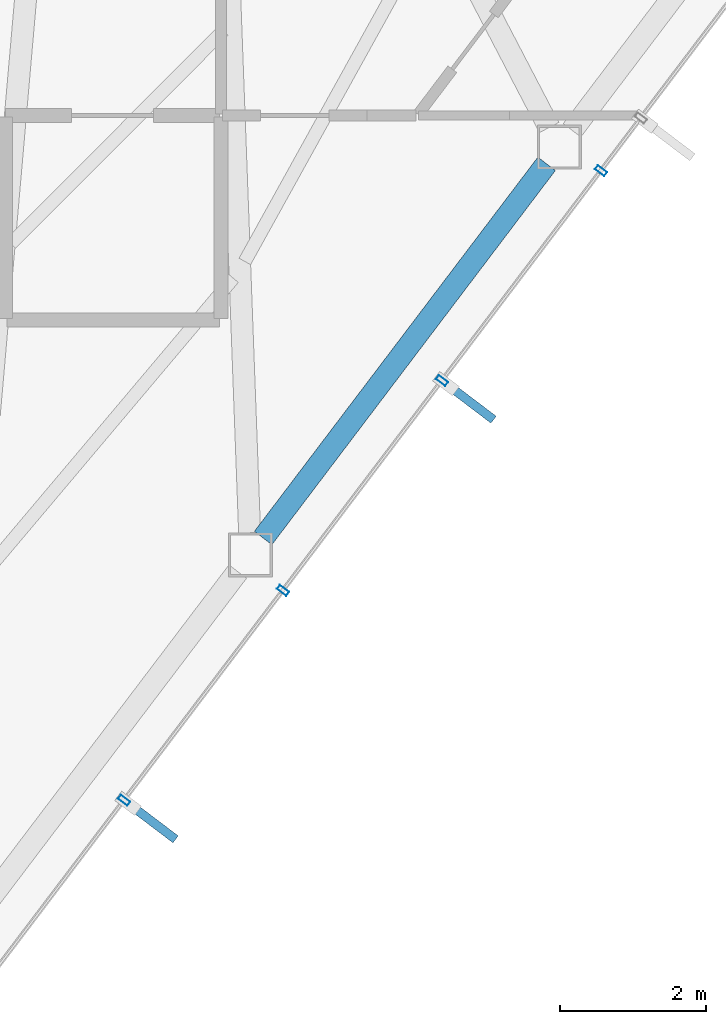
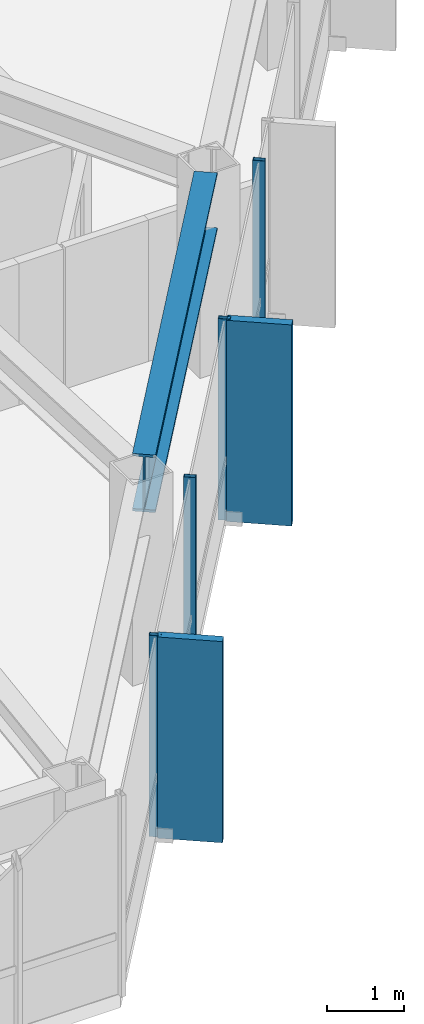
# One storey, part 14 of 25: 6 members, 1 beam, 1 element without a shape of its own.
"""IFC4 building model written with IfcOpenShell, lengths in metres."""

from ifc_helpers import new_model, si_unit, direction, frame, origin, origin_2d, place, context, subcontext, project, spatial, rectangle, hollow_rectangle, i_section, extrude, material, layer, layer_set, material_profile, profile_set, type_object, element, aggregate, save


model = new_model("IFC4")

# Units and contexts
model_context = context("Model", 3, precision=1e-05, world=origin(), true_north=direction((0.0, 1.0)))
body_context = subcontext(model_context, "Body", "Model", "MODEL_VIEW")
ifc_project = project(units=[si_unit("LENGTHUNIT", "METRE"), si_unit("AREAUNIT", "SQUARE_METRE"), si_unit("VOLUMEUNIT", "CUBIC_METRE"), si_unit("PLANEANGLEUNIT", "RADIAN"), si_unit("MASSUNIT", "GRAM", prefix="KILO")], contexts=[model_context])

# Site, building, storey
site_placement = place(None, origin())
site = spatial("IfcSite", under=ifc_project, at=site_placement, CompositionType="ELEMENT")
building_placement = place(site_placement, origin())
building = spatial("IfcBuilding", under=site, at=building_placement, Name="Zarrinselat Tower", CompositionType="ELEMENT")
storey_placement = place(building_placement, frame((0.0, 0.0, 208.760009765625)))
storey = spatial("IfcBuildingStorey", under=building, at=storey_placement, Name="L51", CompositionType="ELEMENT", Elevation=208.760009765625)

# Beam
ifc_material_1 = material(Name="Steel S460M", Category="steel")
ifc_material_profile_1 = material_profile(ifc_material_1, i_section(OverallWidth=0.302001953125, OverallDepth=0.909912109375, WebThickness=0.02099609375, FlangeThickness=0.0400390625, at=origin_2d()), Name="HEM 900")
ifc_profile_set_1 = profile_set([ifc_material_profile_1], Name="Steel S460M")
beam_type = type_object("IfcBeamType", Name="BM-HEM900", PredefinedType="BEAM", material=ifc_profile_set_1)
beam_placement = place(storey_placement, frame((48.926513671875, 24.369384765625, 2.72509765625), z_axis=(0.603860615044, 0.797089930684, 0.0), x_axis=(-0.797089930684, 0.603860615044, 0.0)))
element("IfcBeam", 1, at=beam_placement, inside=storey, type_object=beam_type, Name="L51 Perimeter Spandrel Girder SP12", PredefinedType="BEAM", context=body_context, shape_type="SweptSolid", body=[
    extrude(i_section(OverallWidth=0.302001953125, OverallDepth=0.909912109375, WebThickness=0.02099609375, FlangeThickness=0.0400390625, at=origin_2d()), origin(), (0.0, 0.0, 1.0), 6.423583984375),
])

# Curtain wall, members
ifc_material_2 = material(Name="Extruded Aluminium Alloy EN AW-6063 T6", Category="aluminium")
ifc_layer = layer(ifc_material_2, 0.169921875)
ifc_layer_set = layer_set([ifc_layer], Name="Extruded Aluminium Alloy EN AW-6063 T6")
curtain_wall_type = type_object("IfcCurtainWallType", Name="CWS-RES", PredefinedType="NOTDEFINED", material=ifc_layer_set)
curtain_wall_placement = place(storey_placement, origin())
curtain_wall = element("IfcCurtainWall", 2, at=curtain_wall_placement, inside=storey, type_object=curtain_wall_type, Name="L51 Unitised Curtain Wall CW-L51-E05", PredefinedType="NOTDEFINED")
ifc_material_3 = material(Name="Extruded Aluminium Alloy EN AW-6063 T6", Category="aluminium")
ifc_material_profile_2 = material_profile(ifc_material_3, hollow_rectangle(XDim=0.070068359375, YDim=0.159912109375, WallThickness=0.00390625, at=origin_2d()), Name="RHS 160x70x4")
ifc_profile_set_2 = profile_set([ifc_material_profile_2], Name="Extruded Aluminium Alloy EN AW-6063 T6")
member_type_1 = type_object("IfcMemberType", Name="MEM-CW-MUL2", PredefinedType="MULLION", material=ifc_profile_set_2)
member_1_placement = place(storey_placement, frame((47.02392578125, 20.781494140625, 0.0), z_axis=(0.0, 0.0, 1.0), x_axis=(0.603859492128, 0.797090781384, 0.0)))
member_1 = element("IfcMember", 3, at=member_1_placement, type_object=member_type_1, Name="CW-L51-E05 Mullion 1", PredefinedType="MULLION", context=body_context, shape_type="SweptSolid", body=[
    extrude(hollow_rectangle(XDim=0.070068359375, YDim=0.159912109375, WallThickness=0.00390625, at=origin_2d()), origin(), (0.0, 0.0, 1.0), 3.179931640625),
])
member_2_placement = place(storey_placement, frame((49.19873046875, 23.65234375, 0.0), z_axis=(0.0, 0.0, 1.0), x_axis=(0.603859492128, 0.797090781384, 0.0)))
member_2 = element("IfcMember", 4, at=member_2_placement, type_object=member_type_1, Name="CW-L51-E05 Mullion 2", PredefinedType="MULLION", context=body_context, shape_type="SweptSolid", body=[
    extrude(hollow_rectangle(XDim=0.070068359375, YDim=0.159912109375, WallThickness=0.00390625, at=origin_2d()), origin(), (0.0, 0.0, 1.0), 3.179931640625),
])
member_3_placement = place(storey_placement, frame((51.373779296875, 26.523193359375, 0.0), z_axis=(0.0, 0.0, 1.0), x_axis=(0.603859492128, 0.797090781384, 0.0)))
member_3 = element("IfcMember", 5, at=member_3_placement, type_object=member_type_1, Name="CW-L51-E05 Mullion 3", PredefinedType="MULLION", context=body_context, shape_type="SweptSolid", body=[
    extrude(hollow_rectangle(XDim=0.070068359375, YDim=0.159912109375, WallThickness=0.00390625, at=origin_2d()), origin(), (0.0, 0.0, 1.0), 3.179931640625),
])
member_4_placement = place(storey_placement, frame((53.548583984375, 29.39404296875, 0.0), z_axis=(0.0, 0.0, 1.0), x_axis=(0.603859492128, 0.797090781384, 0.0)))
member_4 = element("IfcMember", 6, at=member_4_placement, type_object=member_type_1, Name="CW-L51-E05 Mullion 4", PredefinedType="MULLION", context=body_context, shape_type="SweptSolid", body=[
    extrude(hollow_rectangle(XDim=0.070068359375, YDim=0.159912109375, WallThickness=0.00390625, at=origin_2d()), origin(), (0.0, 0.0, 1.0), 3.179931640625),
])
ifc_material_4 = material(Name="Honed Cream Travertine Stone", Category="masonry")
ifc_material_profile_3 = material_profile(ifc_material_4, rectangle(XDim=0.1201171875, YDim=0.85009765625, at=origin_2d()), Name="FIN 850x120")
ifc_profile_set_3 = profile_set([ifc_material_profile_3], Name="Honed Cream Travertine Stone")
member_type_2 = type_object("IfcMemberType", Name="MEM-STONE-FIN", PredefinedType="USERDEFINED", material=ifc_profile_set_3)
member_5_placement = place(storey_placement, frame((47.390625, 20.503662109375, 0.0), z_axis=(0.0, 0.0, 1.0), x_axis=(-0.603859492128, -0.797090781384, 0.0)))
member_5 = element("IfcMember", 7, at=member_5_placement, type_object=member_type_2, Name="L51 Stone Shading Fin CW-L51-E05-01", ObjectType="FIN", PredefinedType="USERDEFINED", context=body_context, shape_type="SweptSolid", body=[
    extrude(rectangle(XDim=0.1201171875, YDim=0.85009765625, at=origin_2d()), origin(), (0.0, 0.0, 1.0), 3.179931640625),
])
member_6_placement = place(storey_placement, frame((51.740478515625, 26.245361328125, 0.0), z_axis=(0.0, 0.0, 1.0), x_axis=(-0.603859492128, -0.797090781384, 0.0)))
member_6 = element("IfcMember", 8, at=member_6_placement, type_object=member_type_2, Name="L51 Stone Shading Fin CW-L51-E05-03", ObjectType="FIN", PredefinedType="USERDEFINED", context=body_context, shape_type="SweptSolid", body=[
    extrude(rectangle(XDim=0.1201171875, YDim=0.85009765625, at=origin_2d()), origin(), (0.0, 0.0, 1.0), 3.179931640625),
])
aggregate(curtain_wall, [member_1, member_5, member_2, member_3, member_6, member_4])

save(model, "model.ifc")
